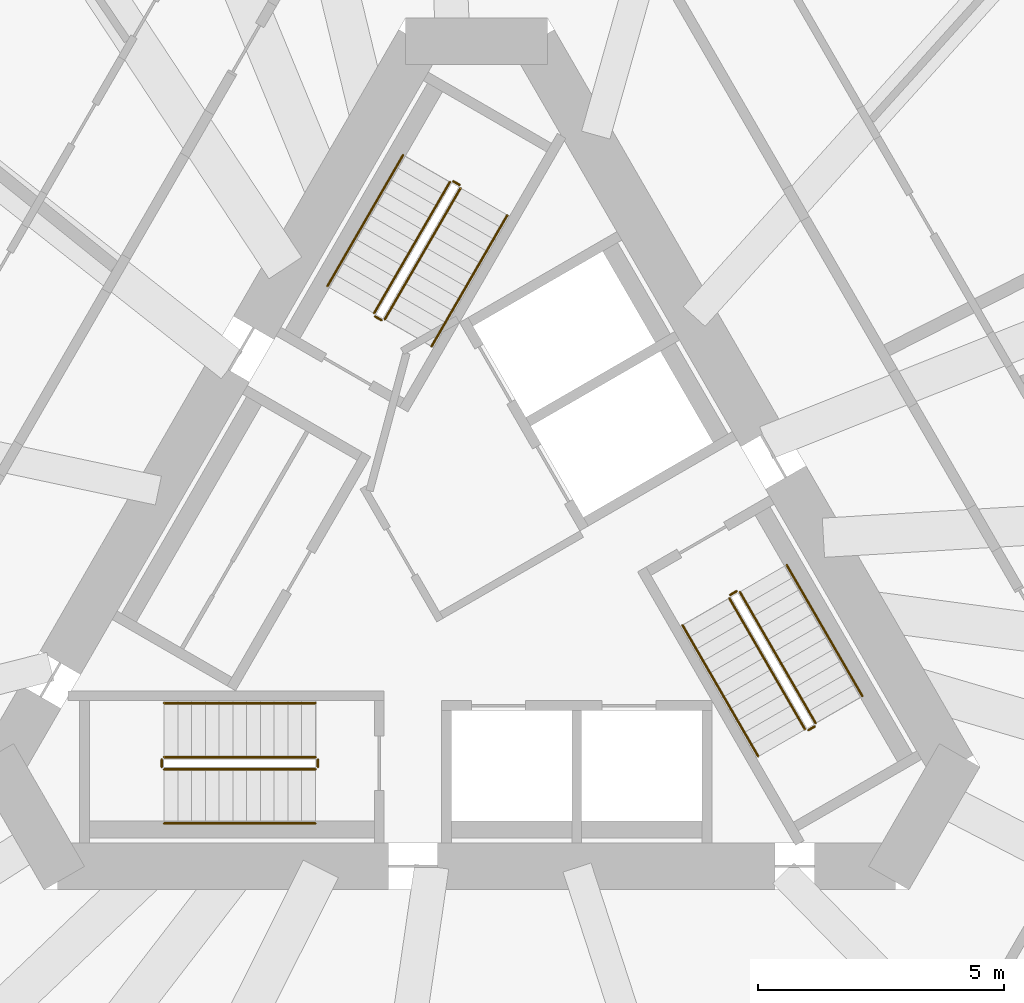
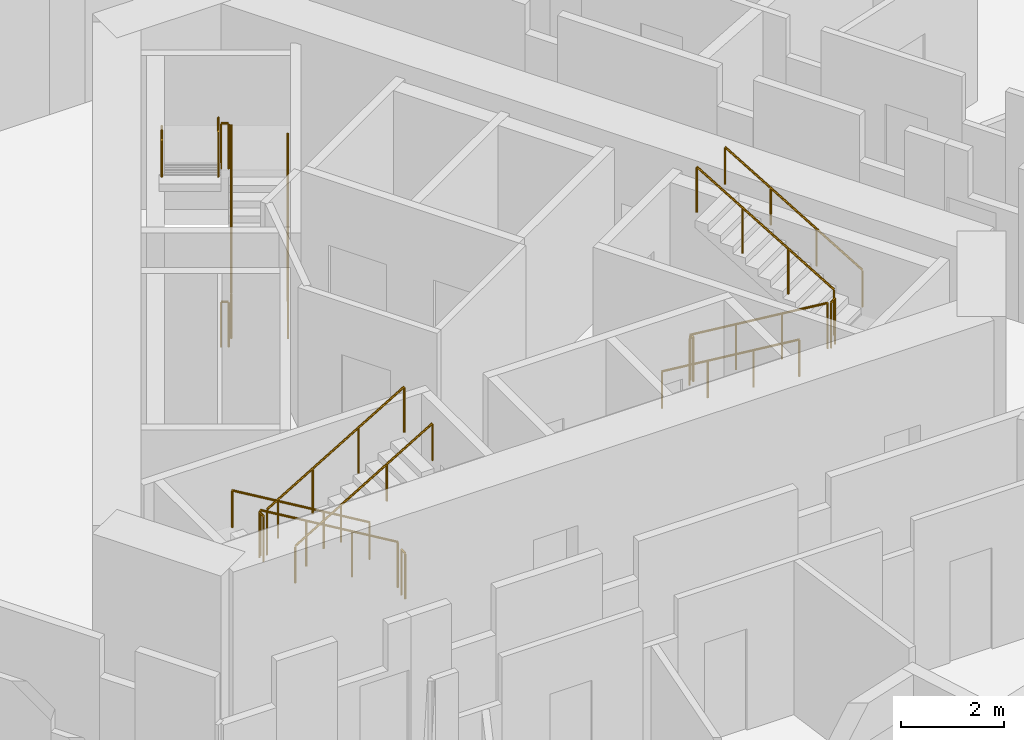
# One storey, part 12 of 13: 18 railings.
"""IFC4 building model written with IfcOpenShell, lengths in metres."""

from ifc_helpers import new_model, si_unit, direction, frame, origin, origin_2d, place, context, subcontext, project, spatial, circle, extrude, material, type_object, element, save


model = new_model("IFC4")

# Units and contexts
model_context = context("Model", 3, precision=1e-05, world=origin(), true_north=direction((0.0, 1.0)))
body_context = subcontext(model_context, "Body", "Model", "MODEL_VIEW")
ifc_project = project(units=[si_unit("LENGTHUNIT", "METRE"), si_unit("AREAUNIT", "SQUARE_METRE"), si_unit("VOLUMEUNIT", "CUBIC_METRE"), si_unit("PLANEANGLEUNIT", "RADIAN"), si_unit("MASSUNIT", "GRAM", prefix="KILO")], contexts=[model_context])

# Site, building, storey
site_placement = place(None, origin())
site = spatial("IfcSite", under=ifc_project, at=site_placement, CompositionType="ELEMENT")
building_placement = place(site_placement, origin())
building = spatial("IfcBuilding", under=site, at=building_placement, Name="Tramontana Tower", CompositionType="ELEMENT")
storey_placement = place(building_placement, frame((0.0, 0.0, 112.39990234375)))
storey = spatial("IfcBuildingStorey", under=building, at=storey_placement, Name="L25", CompositionType="ELEMENT", Elevation=112.39990234375)

# Railings
ifc_material_1 = material(Name="Painted steel", Category="steel")
railing_type_1 = type_object("IfcRailingType", Name="STAIR GUARD 1100", PredefinedType="GUARDRAIL", material=ifc_material_1)
railing_1_placement = place(storey_placement, frame((-1.867431640625, 4.865478515625, 0.166748046875)))
element("IfcRailing", 1, at=railing_1_placement, inside=storey, type_object=railing_type_1, Name="L25 ST1 stair guard 1", PredefinedType="GUARDRAIL", context=body_context, shape_type="SweptSolid", body=[
    extrude(circle(Radius=0.02392578125, at=origin_2d()), frame((0.0, 0.0, 1.076171875), z_axis=(0.429649414936, 0.744189839504, 0.511451721109), x_axis=(-0.866029832698, 0.499992328818, 0.0)), (0.0, 0.0, 1.0), 3.58447265625),
    extrude(circle(Radius=0.02099609375, at=origin_2d()), origin(), (0.0, 0.0, 1.0), 1.052001953125),
    extrude(circle(Radius=0.02099609375, at=origin_2d()), frame((0.513427734375, 0.88916015625, 0.611083984375)), (0.0, 0.0, 1.0), 1.052001953125),
    extrude(circle(Radius=0.02099609375, at=origin_2d()), frame((1.026611328125, 1.7783203125, 1.22216796875)), (0.0, 0.0, 1.0), 1.052001953125),
    extrude(circle(Radius=0.02099609375, at=origin_2d()), frame((1.5400390625, 2.66748046875, 1.833251953125)), (0.0, 0.0, 1.0), 1.052001953125),
])
railing_2_placement = place(storey_placement, frame((-0.5439453125, 7.657958984375, 2.166748046875)))
element("IfcRailing", 2, at=railing_2_placement, inside=storey, type_object=railing_type_1, Name="L25 ST1 stair guard 2", PredefinedType="GUARDRAIL", context=body_context, shape_type="SweptSolid", body=[
    extrude(circle(Radius=0.02392578125, at=origin_2d()), frame((0.0, 0.0, 1.076171875), z_axis=(-0.429649414936, -0.744189839504, 0.511451721109), x_axis=(0.866029832698, -0.499992328818, 0.0)), (0.0, 0.0, 1.0), 3.58447265625),
    extrude(circle(Radius=0.02099609375, at=origin_2d()), origin(), (0.0, 0.0, 1.0), 1.052001953125),
    extrude(circle(Radius=0.02099609375, at=origin_2d()), frame((-0.513427734375, -0.88916015625, 0.611083984375)), (0.0, 0.0, 1.0), 1.052001953125),
    extrude(circle(Radius=0.02099609375, at=origin_2d()), frame((-1.026611328125, -1.7783203125, 1.22216796875)), (0.0, 0.0, 1.0), 1.052001953125),
    extrude(circle(Radius=0.02099609375, at=origin_2d()), frame((-1.5400390625, -2.66748046875, 1.833251953125)), (0.0, 0.0, 1.0), 1.052001953125),
])
railing_3_placement = place(storey_placement, frame((-0.345703125, 7.601318359375, 2.0)))
element("IfcRailing", 3, at=railing_3_placement, inside=storey, type_object=railing_type_1, Name="L25 ST1 stair guard 3", PredefinedType="GUARDRAIL", context=body_context, shape_type="SweptSolid", body=[
    extrude(circle(Radius=0.02392578125, at=origin_2d()), frame((0.0, 0.0, 1.076171875), z_axis=(-0.866131372301, 0.499816412211, 0.0), x_axis=(-0.499816412211, -0.866131372301, 0.0)), (0.0, 0.0, 1.0), 0.14990234375),
    extrude(circle(Radius=0.02099609375, at=origin_2d()), origin(), (0.0, 0.0, 1.0), 1.052001953125),
    extrude(circle(Radius=0.02099609375, at=origin_2d()), frame((-0.1298828125, 0.074951171875, 0.0)), (0.0, 0.0, 1.0), 1.052001953125),
])
railing_4_placement = place(storey_placement, frame((-1.935791015625, 4.84716796875, 0.0)))
element("IfcRailing", 4, at=railing_4_placement, inside=storey, type_object=railing_type_1, Name="L25 ST1 stair guard 4", PredefinedType="GUARDRAIL", context=body_context, shape_type="SweptSolid", body=[
    extrude(circle(Radius=0.02392578125, at=origin_2d()), frame((0.0, 0.0, 1.076171875), z_axis=(-0.865426285481, 0.501036270542, 0.0), x_axis=(-0.501036270542, -0.865426285481, 0.0)), (0.0, 0.0, 1.0), 0.150146484375),
    extrude(circle(Radius=0.02099609375, at=origin_2d()), origin(), (0.0, 0.0, 1.0), 1.052001953125),
    extrude(circle(Radius=0.02099609375, at=origin_2d()), frame((-0.1298828125, 0.0751953125, 0.0)), (0.0, 0.0, 1.0), 1.052001953125),
])
railing_5_placement = place(storey_placement, frame((-3.280029296875, -4.050048828125, 0.166748046875)))
element("IfcRailing", 5, at=railing_5_placement, inside=storey, type_object=railing_type_1, Name="L25 ST2 stair guard 1", PredefinedType="GUARDRAIL", context=body_context, shape_type="SweptSolid", body=[
    extrude(circle(Radius=0.02392578125, at=origin_2d()), frame((0.0, 0.0, 1.076171875), z_axis=(-0.859308565015, 0.0, 0.511457515432), x_axis=(0.0, -1.0, 0.0)), (0.0, 0.0, 1.0), 3.58447265625),
    extrude(circle(Radius=0.02099609375, at=origin_2d()), origin(), (0.0, 0.0, 1.0), 1.052001953125),
    extrude(circle(Radius=0.02099609375, at=origin_2d()), frame((-1.026611328125, 0.0, 0.611083984375)), (0.0, 0.0, 1.0), 1.052001953125),
    extrude(circle(Radius=0.02099609375, at=origin_2d()), frame((-2.053466796875, 0.0, 1.22216796875)), (0.0, 0.0, 1.0), 1.052001953125),
    extrude(circle(Radius=0.02099609375, at=origin_2d()), frame((-3.080078125, 0.0, 1.833251953125)), (0.0, 0.0, 1.0), 1.052001953125),
])
railing_6_placement = place(storey_placement, frame((-6.360107421875, -4.300048828125, 2.166748046875)))
element("IfcRailing", 6, at=railing_6_placement, inside=storey, type_object=railing_type_1, Name="L25 ST2 stair guard 2", PredefinedType="GUARDRAIL", context=body_context, shape_type="SweptSolid", body=[
    extrude(circle(Radius=0.02392578125, at=origin_2d()), frame((0.0, 0.0, 1.076171875), z_axis=(0.859308565015, 0.0, 0.511457515432), x_axis=(0.0, 1.0, 0.0)), (0.0, 0.0, 1.0), 3.58447265625),
    extrude(circle(Radius=0.02099609375, at=origin_2d()), origin(), (0.0, 0.0, 1.0), 1.052001953125),
    extrude(circle(Radius=0.02099609375, at=origin_2d()), frame((1.026611328125, 0.0, 0.611083984375)), (0.0, 0.0, 1.0), 1.052001953125),
    extrude(circle(Radius=0.02099609375, at=origin_2d()), frame((2.053466796875, 0.0, 1.22216796875)), (0.0, 0.0, 1.0), 1.052001953125),
    extrude(circle(Radius=0.02099609375, at=origin_2d()), frame((3.080078125, 0.0, 1.833251953125)), (0.0, 0.0, 1.0), 1.052001953125),
])
for number, where, name in (
    (7, (-6.409912109375, -4.10009765625, 2.0), "L25 ST2 stair guard 3"),
    (8, (-3.22998046875, -4.10009765625, 0.0), "L25 ST2 stair guard 4"),
):
    element("IfcRailing", number, at=place(storey_placement, frame(where)), inside=storey, type_object=railing_type_1, Name=name, PredefinedType="GUARDRAIL", context=body_context, shape_type="SweptSolid", body=[
        extrude(circle(Radius=0.02392578125, at=origin_2d()), frame((0.0, 0.0, 1.076171875), z_axis=(0.0, -1.0, 0.0), x_axis=(1.0, 0.0, 0.0)), (0.0, 0.0, 1.0), 0.14990234375),
        extrude(circle(Radius=0.02099609375, at=origin_2d()), origin(), (0.0, 0.0, 1.0), 1.052001953125),
        extrude(circle(Radius=0.02099609375, at=origin_2d()), frame((0.0, -0.14990234375, 0.0)), (0.0, 0.0, 1.0), 1.052001953125),
    ])
railing_7_placement = place(storey_placement, frame((5.1474609375, -0.815673828125, 0.166748046875)))
element("IfcRailing", 9, at=railing_7_placement, inside=storey, type_object=railing_type_1, Name="L25 ST3 stair guard 1", PredefinedType="GUARDRAIL", context=body_context, shape_type="SweptSolid", body=[
    extrude(circle(Radius=0.02392578125, at=origin_2d()), frame((0.0, 0.0, 1.076171875), z_axis=(0.429671193721, -0.744159446956, 0.511477646425), x_axis=(0.866010015463, 0.500026652407, 0.0)), (0.0, 0.0, 1.0), 3.584228515625),
    extrude(circle(Radius=0.02099609375, at=origin_2d()), origin(), (0.0, 0.0, 1.0), 1.052001953125),
    extrude(circle(Radius=0.02099609375, at=origin_2d()), frame((0.513427734375, -0.88916015625, 0.611083984375)), (0.0, 0.0, 1.0), 1.052001953125),
    extrude(circle(Radius=0.02099609375, at=origin_2d()), frame((1.026611328125, -1.778076171875, 1.22216796875)), (0.0, 0.0, 1.0), 1.052001953125),
    extrude(circle(Radius=0.02099609375, at=origin_2d()), frame((1.5400390625, -2.667236328125, 1.833251953125)), (0.0, 0.0, 1.0), 1.052001953125),
])
railing_8_placement = place(storey_placement, frame((6.90380859375, -3.35791015625, 2.166748046875)))
element("IfcRailing", 10, at=railing_8_placement, inside=storey, type_object=railing_type_1, Name="L25 ST3 stair guard 2", PredefinedType="GUARDRAIL", context=body_context, shape_type="SweptSolid", body=[
    extrude(circle(Radius=0.02392578125, at=origin_2d()), frame((0.0, 0.0, 1.076171875), z_axis=(-0.429615651263, 0.74418122563, 0.511492615401), x_axis=(-0.866044340336, -0.499967199496, 0.0)), (0.0, 0.0, 1.0), 3.584228515625),
    extrude(circle(Radius=0.02099609375, at=origin_2d()), origin(), (0.0, 0.0, 1.0), 1.052001953125),
    extrude(circle(Radius=0.02099609375, at=origin_2d()), frame((-0.51318359375, 0.88916015625, 0.611083984375)), (0.0, 0.0, 1.0), 1.052001953125),
    extrude(circle(Radius=0.02099609375, at=origin_2d()), frame((-1.026611328125, 1.778076171875, 1.22216796875)), (0.0, 0.0, 1.0), 1.052001953125),
    extrude(circle(Radius=0.02099609375, at=origin_2d()), frame((-1.539794921875, 2.667236328125, 1.833251953125)), (0.0, 0.0, 1.0), 1.052001953125),
])
for number, where, name in (
    (11, (6.755615234375, -3.501220703125, 2.0), "L25 ST3 stair guard 3"),
    (12, (5.165771484375, -0.747314453125, 0.0), "L25 ST3 stair guard 4"),
):
    element("IfcRailing", number, at=place(storey_placement, frame(where)), inside=storey, type_object=railing_type_1, Name=name, PredefinedType="GUARDRAIL", context=body_context, shape_type="SweptSolid", body=[
        extrude(circle(Radius=0.02392578125, at=origin_2d()), frame((0.0, 0.0, 1.076171875), z_axis=(0.866131372301, 0.499816412211, 0.0), x_axis=(-0.499816412211, 0.866131372301, 0.0)), (0.0, 0.0, 1.0), 0.14990234375),
        extrude(circle(Radius=0.02099609375, at=origin_2d()), origin(), (0.0, 0.0, 1.0), 1.052001953125),
        extrude(circle(Radius=0.02099609375, at=origin_2d()), frame((0.1298828125, 0.074951171875, 0.0)), (0.0, 0.0, 1.0), 1.052001953125),
    ])
ifc_material_2 = material(Name="Painted steel", Category="steel")
railing_type_2 = type_object("IfcRailingType", Name="STAIR HANDRAIL 900", PredefinedType="HANDRAIL", material=ifc_material_2)
railing_9_placement = place(storey_placement, frame((-0.914794921875, 4.315673828125, 0.166748046875)))
element("IfcRailing", 13, at=railing_9_placement, inside=storey, type_object=railing_type_2, Name="L25 ST1 stair handrail 1", PredefinedType="HANDRAIL", context=body_context, shape_type="SweptSolid", body=[
    extrude(circle(Radius=0.02392578125, at=origin_2d()), frame((0.0, 0.0, 0.8759765625), z_axis=(0.429671193721, 0.744159446956, 0.511477646425), x_axis=(-0.866010015463, 0.500026652407, 0.0)), (0.0, 0.0, 1.0), 3.584228515625),
    extrude(circle(Radius=0.02099609375, at=origin_2d()), origin(), (0.0, 0.0, 1.0), 0.851806640625),
    extrude(circle(Radius=0.02099609375, at=origin_2d()), frame((0.513427734375, 0.88916015625, 0.611083984375)), (0.0, 0.0, 1.0), 0.851806640625),
    extrude(circle(Radius=0.02099609375, at=origin_2d()), frame((1.026611328125, 1.778076171875, 1.22216796875)), (0.0, 0.0, 1.0), 0.851806640625),
    extrude(circle(Radius=0.02099609375, at=origin_2d()), frame((1.5400390625, 2.667236328125, 1.833251953125)), (0.0, 0.0, 1.0), 0.851806640625),
])
railing_10_placement = place(storey_placement, frame((-1.49658203125, 8.2080078125, 2.166748046875)))
element("IfcRailing", 14, at=railing_10_placement, inside=storey, type_object=railing_type_2, Name="L25 ST1 stair handrail 2", PredefinedType="HANDRAIL", context=body_context, shape_type="SweptSolid", body=[
    extrude(circle(Radius=0.02392578125, at=origin_2d()), frame((0.0, 0.0, 0.8759765625), z_axis=(-0.429649414936, -0.744189839504, 0.511451721109), x_axis=(0.866029832698, -0.499992328818, 0.0)), (0.0, 0.0, 1.0), 3.58447265625),
    extrude(circle(Radius=0.02099609375, at=origin_2d()), origin(), (0.0, 0.0, 1.0), 0.851806640625),
    extrude(circle(Radius=0.02099609375, at=origin_2d()), frame((-0.513427734375, -0.88916015625, 0.611083984375)), (0.0, 0.0, 1.0), 0.851806640625),
    extrude(circle(Radius=0.02099609375, at=origin_2d()), frame((-1.026611328125, -1.7783203125, 1.22216796875)), (0.0, 0.0, 1.0), 0.851806640625),
    extrude(circle(Radius=0.02099609375, at=origin_2d()), frame((-1.5400390625, -2.66748046875, 1.833251953125)), (0.0, 0.0, 1.0), 0.851806640625),
])
railing_11_placement = place(storey_placement, frame((-3.280029296875, -2.949951171875, 0.166748046875)))
element("IfcRailing", 15, at=railing_11_placement, inside=storey, type_object=railing_type_2, Name="L25 ST2 stair handrail 1", PredefinedType="HANDRAIL", context=body_context, shape_type="SweptSolid", body=[
    extrude(circle(Radius=0.02392578125, at=origin_2d()), frame((0.0, 0.0, 0.8759765625), z_axis=(-0.859308565015, 0.0, 0.511457515432), x_axis=(0.0, -1.0, 0.0)), (0.0, 0.0, 1.0), 3.58447265625),
    extrude(circle(Radius=0.02099609375, at=origin_2d()), origin(), (0.0, 0.0, 1.0), 0.851806640625),
    extrude(circle(Radius=0.02099609375, at=origin_2d()), frame((-1.026611328125, 0.0, 0.611083984375)), (0.0, 0.0, 1.0), 0.851806640625),
    extrude(circle(Radius=0.02099609375, at=origin_2d()), frame((-2.053466796875, 0.0, 1.22216796875)), (0.0, 0.0, 1.0), 0.851806640625),
    extrude(circle(Radius=0.02099609375, at=origin_2d()), frame((-3.080078125, 0.0, 1.833251953125)), (0.0, 0.0, 1.0), 0.851806640625),
])
railing_12_placement = place(storey_placement, frame((-6.360107421875, -5.39990234375, 2.166748046875)))
element("IfcRailing", 16, at=railing_12_placement, inside=storey, type_object=railing_type_2, Name="L25 ST2 stair handrail 2", PredefinedType="HANDRAIL", context=body_context, shape_type="SweptSolid", body=[
    extrude(circle(Radius=0.02392578125, at=origin_2d()), frame((0.0, 0.0, 0.8759765625), z_axis=(0.859308565015, 0.0, 0.511457515432), x_axis=(0.0, 1.0, 0.0)), (0.0, 0.0, 1.0), 3.58447265625),
    extrude(circle(Radius=0.02099609375, at=origin_2d()), origin(), (0.0, 0.0, 1.0), 0.851806640625),
    extrude(circle(Radius=0.02099609375, at=origin_2d()), frame((1.026611328125, 0.0, 0.611083984375)), (0.0, 0.0, 1.0), 0.851806640625),
    extrude(circle(Radius=0.02099609375, at=origin_2d()), frame((2.053466796875, 0.0, 1.22216796875)), (0.0, 0.0, 1.0), 0.851806640625),
    extrude(circle(Radius=0.02099609375, at=origin_2d()), frame((3.080078125, 0.0, 1.833251953125)), (0.0, 0.0, 1.0), 0.851806640625),
])
railing_13_placement = place(storey_placement, frame((4.19482421875, -1.365478515625, 0.166748046875)))
element("IfcRailing", 17, at=railing_13_placement, inside=storey, type_object=railing_type_2, Name="L25 ST3 stair handrail 1", PredefinedType="HANDRAIL", context=body_context, shape_type="SweptSolid", body=[
    extrude(circle(Radius=0.02392578125, at=origin_2d()), frame((0.0, 0.0, 0.8759765625), z_axis=(0.429649414936, -0.744189839504, 0.511451721109), x_axis=(0.866029832698, 0.499992328818, 0.0)), (0.0, 0.0, 1.0), 3.58447265625),
    extrude(circle(Radius=0.02099609375, at=origin_2d()), origin(), (0.0, 0.0, 1.0), 0.851806640625),
    extrude(circle(Radius=0.02099609375, at=origin_2d()), frame((0.513427734375, -0.88916015625, 0.611083984375)), (0.0, 0.0, 1.0), 0.851806640625),
    extrude(circle(Radius=0.02099609375, at=origin_2d()), frame((1.026611328125, -1.7783203125, 1.22216796875)), (0.0, 0.0, 1.0), 0.851806640625),
    extrude(circle(Radius=0.02099609375, at=origin_2d()), frame((1.5400390625, -2.66748046875, 1.833251953125)), (0.0, 0.0, 1.0), 0.851806640625),
])
railing_14_placement = place(storey_placement, frame((7.8564453125, -2.807861328125, 2.166748046875)))
element("IfcRailing", 18, at=railing_14_placement, inside=storey, type_object=railing_type_2, Name="L25 ST3 stair handrail 2", PredefinedType="HANDRAIL", context=body_context, shape_type="SweptSolid", body=[
    extrude(circle(Radius=0.02392578125, at=origin_2d()), frame((0.0, 0.0, 0.8759765625), z_axis=(-0.429615651263, 0.74418122563, 0.511492615401), x_axis=(-0.866044340336, -0.499967199496, 0.0)), (0.0, 0.0, 1.0), 3.584228515625),
    extrude(circle(Radius=0.02099609375, at=origin_2d()), origin(), (0.0, 0.0, 1.0), 0.851806640625),
    extrude(circle(Radius=0.02099609375, at=origin_2d()), frame((-0.51318359375, 0.88916015625, 0.611083984375)), (0.0, 0.0, 1.0), 0.851806640625),
    extrude(circle(Radius=0.02099609375, at=origin_2d()), frame((-1.026611328125, 1.778076171875, 1.22216796875)), (0.0, 0.0, 1.0), 0.851806640625),
    extrude(circle(Radius=0.02099609375, at=origin_2d()), frame((-1.539794921875, 2.667236328125, 1.833251953125)), (0.0, 0.0, 1.0), 0.851806640625),
])

save(model, "model.ifc")
